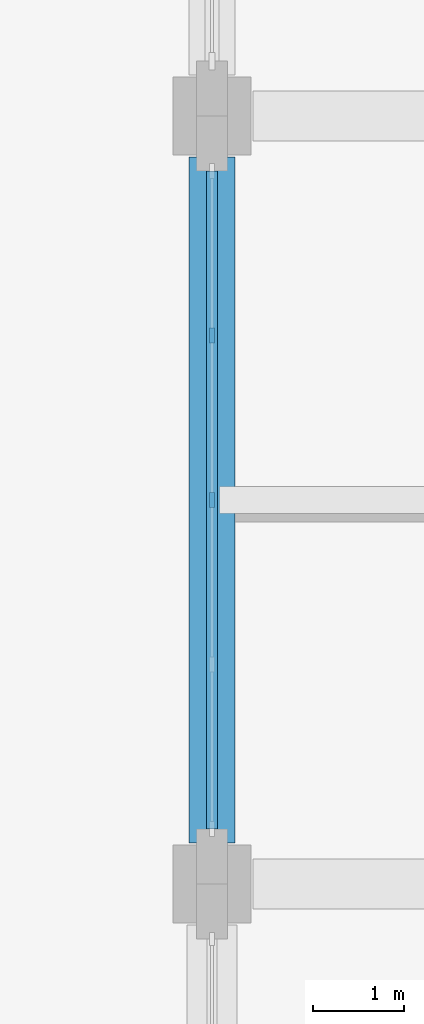
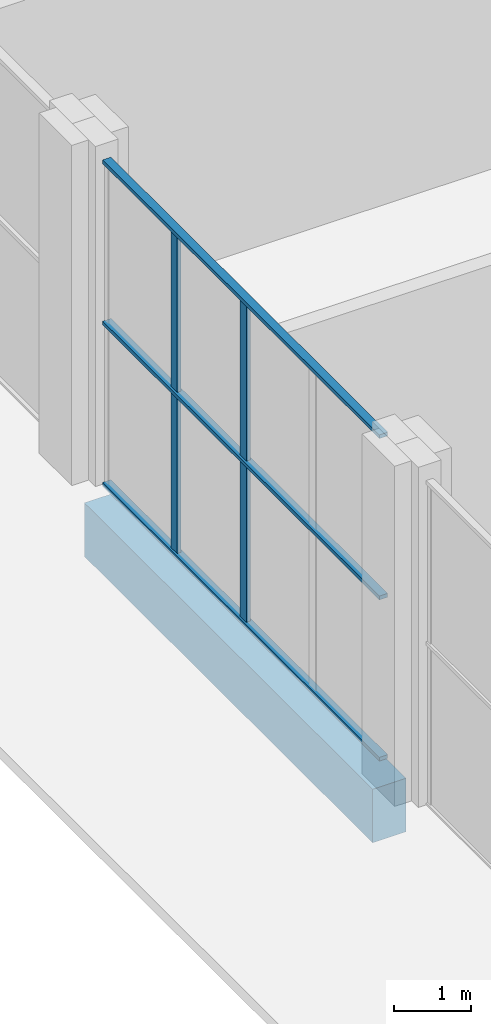
# One storey, part 38 of 82: 5 members, 1 beam, 1 element without a shape of its own.
"""IFC4 building model written with IfcOpenShell, lengths in metres."""

from ifc_helpers import new_model, si_unit, derived_unit, direction, frame, origin, origin_2d, place, context, subcontext, project, spatial, rectangle, extrude, material, material_profile, profile_set, type_object, element, aggregate, save


model = new_model("IFC4")

# Units and contexts
model_context = context("Model", 3, precision=1e-05, world=origin(), true_north=direction((0.0, 1.0)))
body_context = subcontext(model_context, "Body", "Model", "MODEL_VIEW")
ifc_project = project(units=[si_unit("LENGTHUNIT", "METRE"), si_unit("AREAUNIT", "SQUARE_METRE"), si_unit("VOLUMEUNIT", "CUBIC_METRE"), si_unit("PLANEANGLEUNIT", "RADIAN"), si_unit("MASSUNIT", "GRAM", prefix="KILO"), derived_unit("THERMALTRANSMITTANCEUNIT", [(si_unit("POWERUNIT", "WATT"), 1), (si_unit("LENGTHUNIT", "METRE"), -2), (si_unit("THERMODYNAMICTEMPERATUREUNIT", "KELVIN"), -1)])], contexts=[model_context])

# Site, building, storey
site_placement = place(None, origin())
site = spatial("IfcSite", under=ifc_project, at=site_placement, CompositionType="ELEMENT")
building_placement = place(site_placement, origin())
building = spatial("IfcBuilding", under=site, at=building_placement, Name="Barrovel Congress Hotel", CompositionType="ELEMENT")
storey_placement = place(building_placement, origin())
storey = spatial("IfcBuildingStorey", under=building, at=storey_placement, Name="L00", CompositionType="ELEMENT", Elevation=0.0)

# Beam
ifc_material_1 = material(Name="Concrete C40", Category="concrete")
ifc_material_profile_1 = material_profile(ifc_material_1, rectangle(XDim=0.5, YDim=0.85009765625, at=origin_2d()), Name="RC500x850")
ifc_profile_set_1 = profile_set([ifc_material_profile_1], Name="Concrete C40")
beam_type = type_object("IfcBeamType", Name="BM-RC500x850", PredefinedType="BEAM", material=ifc_profile_set_1)
beam_placement = place(storey_placement, frame((126.0, 55.050048828125, -0.7451171875), z_axis=(0.0, 1.0, 0.0), x_axis=(-1.0, 0.0, 0.0)))
element("IfcBeam", 1, at=beam_placement, inside=storey, type_object=beam_type, Name="BMY:L00:126.0:54.6-63.0", PredefinedType="BEAM", context=body_context, shape_type="SweptSolid", body=[
    extrude(rectangle(XDim=0.5, YDim=0.85009765625, at=origin_2d()), origin(), (0.0, 0.0, 1.0), 7.5),
])

# Curtain wall, members
ifc_material_2 = material(Name="Anodised Aluminium Alloy 6063-T6", Category="aluminium")
curtain_wall_type = type_object("IfcCurtainWallType", Name="CW-ST-7200x3600", PredefinedType="USERDEFINED", material=ifc_material_2)
curtain_wall_placement = place(storey_placement, origin())
curtain_wall = element("IfcCurtainWall", 2, at=curtain_wall_placement, inside=storey, type_object=curtain_wall_type, Name="CW:L00:CE:54.6", ObjectType="STICK CURTAIN WALL", PredefinedType="USERDEFINED")
ifc_material_profile_2 = material_profile(ifc_material_2, rectangle(XDim=0.06005859375, YDim=0.1650390625, at=origin_2d()), Name="AL-M60x165")
ifc_profile_set_2 = profile_set([ifc_material_profile_2], Name="Anodised Aluminium Alloy 6063-T6")
member_type_1 = type_object("IfcMemberType", Name="CWM-AL-M60x165", PredefinedType="MULLION", material=ifc_profile_set_2)
member_1_placement = place(storey_placement, frame((126.0, 60.60009765625, 0.0), z_axis=(0.0, 0.0, 1.0), x_axis=(1.0, 0.0, 0.0)))
member_1 = element("IfcMember", 3, at=member_1_placement, type_object=member_type_1, Name="CW:L00:CE:54.6:M1", PredefinedType="MULLION", context=body_context, shape_type="SweptSolid", body=[
    extrude(rectangle(XDim=0.06005859375, YDim=0.1650390625, at=origin_2d()), origin(), (0.0, 0.0, 1.0), 5.1201171875),
])
member_2_placement = place(storey_placement, frame((126.0, 58.800048828125, 0.0), z_axis=(0.0, 0.0, 1.0), x_axis=(1.0, 0.0, 0.0)))
member_2 = element("IfcMember", 4, at=member_2_placement, type_object=member_type_1, Name="CW:L00:CE:54.6:M2", PredefinedType="MULLION", context=body_context, shape_type="SweptSolid", body=[
    extrude(rectangle(XDim=0.06005859375, YDim=0.1650390625, at=origin_2d()), origin(), (0.0, 0.0, 1.0), 5.1201171875),
])
ifc_material_profile_3 = material_profile(ifc_material_2, rectangle(XDim=0.125, YDim=0.06005859375, at=origin_2d()), Name="AL-T60x125")
ifc_profile_set_3 = profile_set([ifc_material_profile_3], Name="Anodised Aluminium Alloy 6063-T6")
member_type_2 = type_object("IfcMemberType", Name="CWT-AL-T60x125", PredefinedType="USERDEFINED", material=ifc_profile_set_3)
member_3_placement = place(storey_placement, frame((126.0, 62.39990234375, 0.0), z_axis=(0.0, -1.0, 0.0), x_axis=(1.0, 0.0, 0.0)))
member_3 = element("IfcMember", 5, at=member_3_placement, type_object=member_type_2, Name="CW:L00:CE:54.6:T0", ObjectType="TRANSOM", PredefinedType="USERDEFINED", context=body_context, shape_type="SweptSolid", body=[
    extrude(rectangle(XDim=0.125, YDim=0.06005859375, at=origin_2d()), origin(), (0.0, 0.0, 1.0), 7.199951171875),
])
member_4_placement = place(storey_placement, frame((126.0, 62.39990234375, 2.56005859375), z_axis=(0.0, -1.0, 0.0), x_axis=(1.0, 0.0, 0.0)))
member_4 = element("IfcMember", 6, at=member_4_placement, type_object=member_type_2, Name="CW:L00:CE:54.6:T1", ObjectType="TRANSOM", PredefinedType="USERDEFINED", context=body_context, shape_type="SweptSolid", body=[
    extrude(rectangle(XDim=0.125, YDim=0.06005859375, at=origin_2d()), origin(), (0.0, 0.0, 1.0), 7.199951171875),
])
member_5_placement = place(storey_placement, frame((126.0, 62.39990234375, 5.1201171875), z_axis=(0.0, -1.0, 0.0), x_axis=(1.0, 0.0, 0.0)))
member_5 = element("IfcMember", 7, at=member_5_placement, type_object=member_type_2, Name="CW:L00:CE:54.6:T2", ObjectType="TRANSOM", PredefinedType="USERDEFINED", context=body_context, shape_type="SweptSolid", body=[
    extrude(rectangle(XDim=0.125, YDim=0.06005859375, at=origin_2d()), origin(), (0.0, 0.0, 1.0), 7.199951171875),
])
aggregate(curtain_wall, [member_1, member_2, member_3, member_4, member_5])

save(model, "model.ifc")
